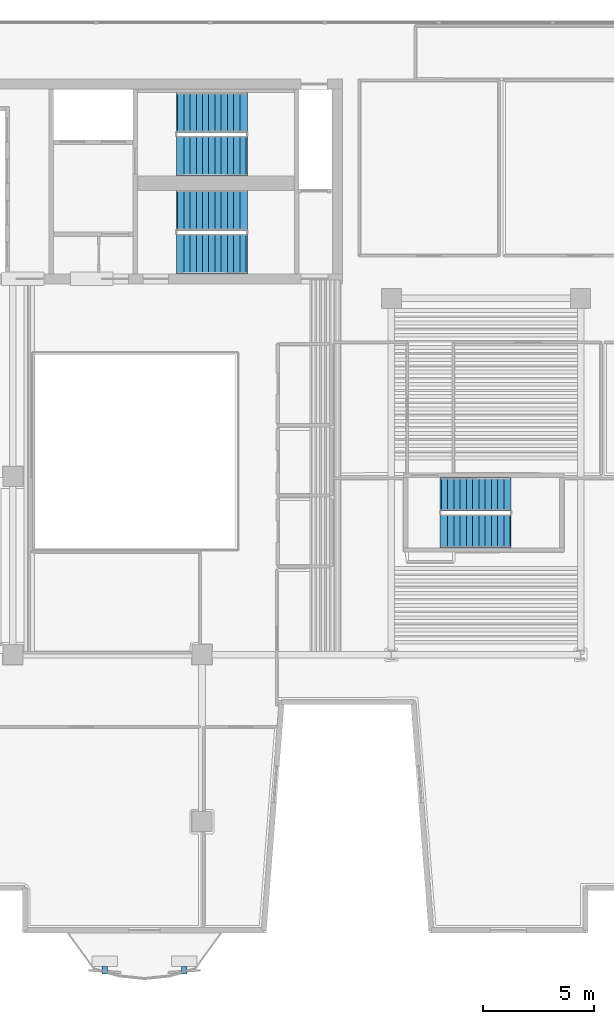
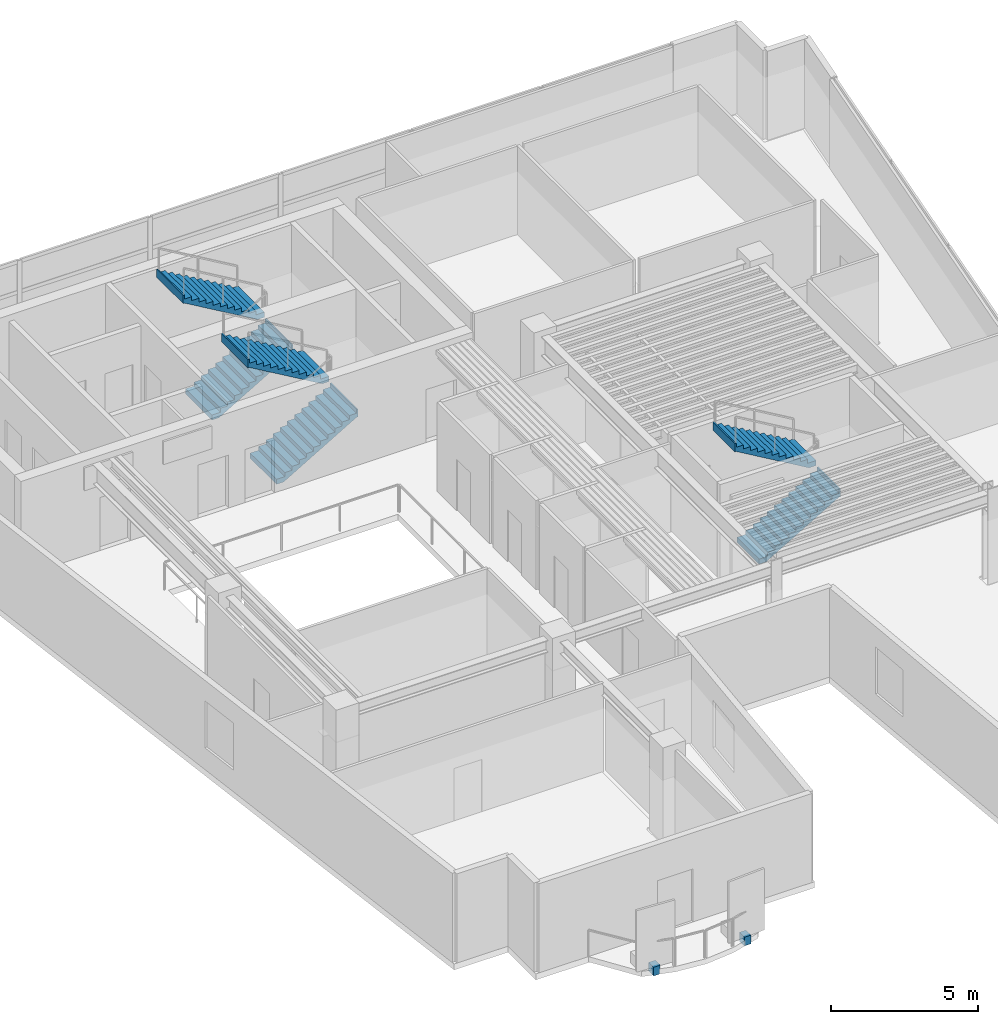
# One storey, part 6 of 8: 6 stair flights, 2 discrete accessories, 3 elements without a shape of their own.
"""IFC4 building model written with IfcOpenShell, lengths in metres."""

from ifc_helpers import new_model, si_unit, direction, frame, origin, origin_2d, place, context, subcontext, project, spatial, polyline, rectangle, outline, extrude, material, type_object, element, aggregate, save


model = new_model("IFC4")

# Units and contexts
model_context = context("Model", 3, precision=1e-05, world=origin(), true_north=direction((0.0, 1.0)))
body_context = subcontext(model_context, "Body", "Model", "MODEL_VIEW")
ifc_project = project(units=[si_unit("LENGTHUNIT", "METRE"), si_unit("AREAUNIT", "SQUARE_METRE"), si_unit("VOLUMEUNIT", "CUBIC_METRE"), si_unit("PLANEANGLEUNIT", "RADIAN"), si_unit("MASSUNIT", "GRAM", prefix="KILO")], contexts=[model_context])

# Site, building, storey
site_placement = place(None, origin())
site = spatial("IfcSite", under=ifc_project, at=site_placement, CompositionType="ELEMENT")
building_placement = place(site_placement, origin())
building = spatial("IfcBuilding", under=site, at=building_placement, Name="Caeloran Harvest Quay", CompositionType="ELEMENT")
storey_placement = place(building_placement, frame((0.0, 0.0, 239.050048828125)))
storey = spatial("IfcBuildingStorey", under=building, at=storey_placement, Name="L57", CompositionType="ELEMENT", Elevation=239.050048828125)

# Stair, stair flights
ifc_material_1 = material(Name="Concrete C50/60", Category="concrete")
stair_type_1 = type_object("IfcStairType", Name="STAIR-STC-180", PredefinedType="HALF_TURN_STAIR", material=ifc_material_1)
stair_1_placement = place(storey_placement, origin())
stair_1 = element("IfcStair", 1, at=stair_1_placement, inside=storey, type_object=stair_type_1, Name="L57 Core Pressurized Exit Stair ST-C1", PredefinedType="HALF_TURN_STAIR")
stair_flight_type_1 = type_object("IfcStairFlightType", Name="FLIGHT-STC-180", PredefinedType="STRAIGHT", material=ifc_material_1)
stair_flight_1_placement = place(storey_placement, frame((15.89990234375, 37.39990234375, 0.0), z_axis=(0.0, 0.0, 1.0), x_axis=(1.0, 0.0, 0.0)))
stair_flight_1 = element("IfcStairFlight", 2, at=stair_flight_1_placement, type_object=stair_flight_type_1, Name="ST-C1 flight 1", NumberOfRisers=12, NumberOfTreads=11, PredefinedType="STRAIGHT", RiserHeight=0.164583333, TreadLength=0.28, context=body_context, shape_type="SweptSolid", body=[
    extrude(outline(polyline([(-0.054931640625, -0.044921875), (-0.054931640625, -0.031982421875), (-0.054931640625, -0.018798828125), (-0.054931640625, -0.005615234375), (-0.054931640625, 0.00732421875), (-0.054931640625, 0.0205078125), (-0.054931640625, 0.03369140625), (-0.054931640625, 0.046630859375), (-0.054931640625, 0.059814453125), (-0.054931640625, 0.072998046875), (-0.054931640625, 0.0859375), (-0.054931640625, 0.09912109375), (-0.054931640625, 0.1123046875), (-0.054931640625, 0.125244140625), (-0.054931640625, 0.138427734375), (-0.054931640625, 0.1513671875), (-0.054931640625, 0.16455078125), (0.280029296875, 0.16455078125), (0.280029296875, 0.3291015625), (0.56005859375, 0.3291015625), (0.56005859375, 0.49365234375), (0.840087890625, 0.49365234375), (0.840087890625, 0.658447265625), (1.1201171875, 0.658447265625), (1.1201171875, 0.822998046875), (1.39990234375, 0.822998046875), (1.39990234375, 0.987548828125), (1.679931640625, 0.987548828125), (1.679931640625, 1.152099609375), (1.9599609375, 1.152099609375), (1.9599609375, 1.316650390625), (2.239990234375, 1.316650390625), (2.239990234375, 1.481201171875), (2.52001953125, 1.481201171875), (2.52001953125, 1.645751953125), (2.800048828125, 1.645751953125), (2.800048828125, 1.810302734375), (3.080078125, 1.810302734375), (3.080078125, 1.97509765625), (3.135009765625, 1.97509765625), (3.135009765625, 1.953857421875), (3.135009765625, 1.9326171875), (3.135009765625, 1.91162109375), (3.135009765625, 1.890380859375), (3.135009765625, 1.869140625), (3.135009765625, 1.84814453125), (3.135009765625, 1.826904296875), (3.135009765625, 1.8056640625), (3.135009765625, 1.78466796875), (3.135009765625, 1.763427734375), (3.135009765625, 1.7421875), (3.135009765625, 1.72119140625), (3.135009765625, 1.699951171875), (3.135009765625, 1.678955078125), (3.135009765625, 1.65771484375), (3.135009765625, 1.636474609375), (3.080078125, 1.636474609375), (0.21923828125, -0.044921875), (-0.054931640625, -0.044921875)])), frame((0.0, 0.89990234375, 0.0), z_axis=(0.0, -1.0, 0.0), x_axis=(1.0, 0.0, 0.0)), (0.0, 0.0, 1.0), 1.800048828125),
])
stair_flight_2_placement = place(storey_placement, frame((18.97998046875, 39.35009765625, 1.974853515625), z_axis=(0.0, 0.0, 1.0), x_axis=(-1.0, 0.0, 0.0)))
stair_flight_2 = element("IfcStairFlight", 3, at=stair_flight_2_placement, type_object=stair_flight_type_1, Name="ST-C1 flight 2", NumberOfRisers=12, NumberOfTreads=11, PredefinedType="STRAIGHT", RiserHeight=0.164583333, TreadLength=0.28, context=body_context, shape_type="SweptSolid", body=[
    extrude(outline(polyline([(-0.054931640625, -0.044921875), (-0.054931640625, -0.031982421875), (-0.054931640625, -0.018798828125), (-0.054931640625, -0.005615234375), (-0.054931640625, 0.00732421875), (-0.054931640625, 0.0205078125), (-0.054931640625, 0.03369140625), (-0.054931640625, 0.046630859375), (-0.054931640625, 0.059814453125), (-0.054931640625, 0.072998046875), (-0.054931640625, 0.0859375), (-0.054931640625, 0.09912109375), (-0.054931640625, 0.1123046875), (-0.054931640625, 0.125244140625), (-0.054931640625, 0.138427734375), (-0.054931640625, 0.1513671875), (-0.054931640625, 0.16455078125), (0.280029296875, 0.16455078125), (0.280029296875, 0.3291015625), (0.56005859375, 0.3291015625), (0.56005859375, 0.49365234375), (0.840087890625, 0.49365234375), (0.840087890625, 0.658447265625), (1.1201171875, 0.658447265625), (1.1201171875, 0.822998046875), (1.39990234375, 0.822998046875), (1.39990234375, 0.987548828125), (1.679931640625, 0.987548828125), (1.679931640625, 1.152099609375), (1.9599609375, 1.152099609375), (1.9599609375, 1.316650390625), (2.239990234375, 1.316650390625), (2.239990234375, 1.481201171875), (2.52001953125, 1.481201171875), (2.52001953125, 1.645751953125), (2.800048828125, 1.645751953125), (2.800048828125, 1.810302734375), (3.080078125, 1.810302734375), (3.080078125, 1.97509765625), (3.135009765625, 1.97509765625), (3.135009765625, 1.953857421875), (3.135009765625, 1.9326171875), (3.135009765625, 1.91162109375), (3.135009765625, 1.890380859375), (3.135009765625, 1.869140625), (3.135009765625, 1.84814453125), (3.135009765625, 1.826904296875), (3.135009765625, 1.8056640625), (3.135009765625, 1.78466796875), (3.135009765625, 1.763427734375), (3.135009765625, 1.7421875), (3.135009765625, 1.72119140625), (3.135009765625, 1.699951171875), (3.135009765625, 1.678955078125), (3.135009765625, 1.65771484375), (3.135009765625, 1.636474609375), (3.080078125, 1.636474609375), (0.21923828125, -0.044921875), (-0.054931640625, -0.044921875)])), frame((0.0, 0.89990234375, 0.0), z_axis=(0.0, -1.0, 0.0), x_axis=(1.0, 0.0, 0.0)), (0.0, 0.0, 1.0), 1.800048828125),
])
aggregate(stair_1, [stair_flight_1, stair_flight_2])

stair_2_placement = place(storey_placement, origin())
stair_2 = element("IfcStair", 4, at=stair_2_placement, inside=storey, type_object=stair_type_1, Name="L57 Core Pressurized Exit Stair ST-C2", PredefinedType="HALF_TURN_STAIR")
stair_flight_3_placement = place(storey_placement, frame((15.89990234375, 33.0, 0.0), z_axis=(0.0, 0.0, 1.0), x_axis=(1.0, 0.0, 0.0)))
stair_flight_3 = element("IfcStairFlight", 5, at=stair_flight_3_placement, type_object=stair_flight_type_1, Name="ST-C2 flight 1", NumberOfRisers=12, NumberOfTreads=11, PredefinedType="STRAIGHT", RiserHeight=0.164583333, TreadLength=0.28, context=body_context, shape_type="SweptSolid", body=[
    extrude(outline(polyline([(-0.054931640625, -0.044921875), (-0.054931640625, -0.031982421875), (-0.054931640625, -0.018798828125), (-0.054931640625, -0.005615234375), (-0.054931640625, 0.00732421875), (-0.054931640625, 0.0205078125), (-0.054931640625, 0.03369140625), (-0.054931640625, 0.046630859375), (-0.054931640625, 0.059814453125), (-0.054931640625, 0.072998046875), (-0.054931640625, 0.0859375), (-0.054931640625, 0.09912109375), (-0.054931640625, 0.1123046875), (-0.054931640625, 0.125244140625), (-0.054931640625, 0.138427734375), (-0.054931640625, 0.1513671875), (-0.054931640625, 0.16455078125), (0.280029296875, 0.16455078125), (0.280029296875, 0.3291015625), (0.56005859375, 0.3291015625), (0.56005859375, 0.49365234375), (0.840087890625, 0.49365234375), (0.840087890625, 0.658447265625), (1.1201171875, 0.658447265625), (1.1201171875, 0.822998046875), (1.39990234375, 0.822998046875), (1.39990234375, 0.987548828125), (1.679931640625, 0.987548828125), (1.679931640625, 1.152099609375), (1.9599609375, 1.152099609375), (1.9599609375, 1.316650390625), (2.239990234375, 1.316650390625), (2.239990234375, 1.481201171875), (2.52001953125, 1.481201171875), (2.52001953125, 1.645751953125), (2.800048828125, 1.645751953125), (2.800048828125, 1.810302734375), (3.080078125, 1.810302734375), (3.080078125, 1.97509765625), (3.135009765625, 1.97509765625), (3.135009765625, 1.953857421875), (3.135009765625, 1.9326171875), (3.135009765625, 1.91162109375), (3.135009765625, 1.890380859375), (3.135009765625, 1.869140625), (3.135009765625, 1.84814453125), (3.135009765625, 1.826904296875), (3.135009765625, 1.8056640625), (3.135009765625, 1.78466796875), (3.135009765625, 1.763427734375), (3.135009765625, 1.7421875), (3.135009765625, 1.72119140625), (3.135009765625, 1.699951171875), (3.135009765625, 1.678955078125), (3.135009765625, 1.65771484375), (3.135009765625, 1.636474609375), (3.080078125, 1.636474609375), (0.21923828125, -0.044921875), (-0.054931640625, -0.044921875)])), frame((0.0, 0.89990234375, 0.0), z_axis=(0.0, -1.0, 0.0), x_axis=(1.0, 0.0, 0.0)), (0.0, 0.0, 1.0), 1.800048828125),
])
stair_flight_4_placement = place(storey_placement, frame((18.97998046875, 34.949951171875, 1.974853515625), z_axis=(0.0, 0.0, 1.0), x_axis=(-1.0, 0.0, 0.0)))
stair_flight_4 = element("IfcStairFlight", 6, at=stair_flight_4_placement, type_object=stair_flight_type_1, Name="ST-C2 flight 2", NumberOfRisers=12, NumberOfTreads=11, PredefinedType="STRAIGHT", RiserHeight=0.164583333, TreadLength=0.28, context=body_context, shape_type="SweptSolid", body=[
    extrude(outline(polyline([(-0.054931640625, -0.044921875), (-0.054931640625, -0.031982421875), (-0.054931640625, -0.018798828125), (-0.054931640625, -0.005615234375), (-0.054931640625, 0.00732421875), (-0.054931640625, 0.0205078125), (-0.054931640625, 0.03369140625), (-0.054931640625, 0.046630859375), (-0.054931640625, 0.059814453125), (-0.054931640625, 0.072998046875), (-0.054931640625, 0.0859375), (-0.054931640625, 0.09912109375), (-0.054931640625, 0.1123046875), (-0.054931640625, 0.125244140625), (-0.054931640625, 0.138427734375), (-0.054931640625, 0.1513671875), (-0.054931640625, 0.16455078125), (0.280029296875, 0.16455078125), (0.280029296875, 0.3291015625), (0.56005859375, 0.3291015625), (0.56005859375, 0.49365234375), (0.840087890625, 0.49365234375), (0.840087890625, 0.658447265625), (1.1201171875, 0.658447265625), (1.1201171875, 0.822998046875), (1.39990234375, 0.822998046875), (1.39990234375, 0.987548828125), (1.679931640625, 0.987548828125), (1.679931640625, 1.152099609375), (1.9599609375, 1.152099609375), (1.9599609375, 1.316650390625), (2.239990234375, 1.316650390625), (2.239990234375, 1.481201171875), (2.52001953125, 1.481201171875), (2.52001953125, 1.645751953125), (2.800048828125, 1.645751953125), (2.800048828125, 1.810302734375), (3.080078125, 1.810302734375), (3.080078125, 1.97509765625), (3.135009765625, 1.97509765625), (3.135009765625, 1.953857421875), (3.135009765625, 1.9326171875), (3.135009765625, 1.91162109375), (3.135009765625, 1.890380859375), (3.135009765625, 1.869140625), (3.135009765625, 1.84814453125), (3.135009765625, 1.826904296875), (3.135009765625, 1.8056640625), (3.135009765625, 1.78466796875), (3.135009765625, 1.763427734375), (3.135009765625, 1.7421875), (3.135009765625, 1.72119140625), (3.135009765625, 1.699951171875), (3.135009765625, 1.678955078125), (3.135009765625, 1.65771484375), (3.135009765625, 1.636474609375), (3.080078125, 1.636474609375), (0.21923828125, -0.044921875), (-0.054931640625, -0.044921875)])), frame((0.0, 0.89990234375, 0.0), z_axis=(0.0, -1.0, 0.0), x_axis=(1.0, 0.0, 0.0)), (0.0, 0.0, 1.0), 1.800048828125),
])
aggregate(stair_2, [stair_flight_3, stair_flight_4])

stair_type_2 = type_object("IfcStairType", Name="STAIR-STW-150", PredefinedType="HALF_TURN_STAIR", material=ifc_material_1)
stair_3_placement = place(storey_placement, origin())
stair_3 = element("IfcStair", 7, at=stair_3_placement, inside=storey, type_object=stair_type_2, Name="L57 East Wing Protected Exit Stair ST-W1", PredefinedType="HALF_TURN_STAIR")
stair_flight_type_2 = type_object("IfcStairFlightType", Name="FLIGHT-STW-150", PredefinedType="STRAIGHT", material=ifc_material_1)
stair_flight_5_placement = place(storey_placement, frame((27.75, 20.550048828125, 0.0), z_axis=(0.0, 0.0, 1.0), x_axis=(1.0, 0.0, 0.0)))
stair_flight_5 = element("IfcStairFlight", 8, at=stair_flight_5_placement, type_object=stair_flight_type_2, Name="ST-W1 flight 1", NumberOfRisers=12, NumberOfTreads=11, PredefinedType="STRAIGHT", RiserHeight=0.164583333, TreadLength=0.28, context=body_context, shape_type="SweptSolid", body=[
    extrude(outline(polyline([(-0.054931640625, -0.044921875), (-0.054931640625, -0.031982421875), (-0.054931640625, -0.018798828125), (-0.054931640625, -0.005615234375), (-0.054931640625, 0.00732421875), (-0.054931640625, 0.0205078125), (-0.054931640625, 0.03369140625), (-0.054931640625, 0.046630859375), (-0.054931640625, 0.059814453125), (-0.054931640625, 0.072998046875), (-0.054931640625, 0.0859375), (-0.054931640625, 0.09912109375), (-0.054931640625, 0.1123046875), (-0.054931640625, 0.125244140625), (-0.054931640625, 0.138427734375), (-0.054931640625, 0.1513671875), (-0.054931640625, 0.16455078125), (0.280029296875, 0.16455078125), (0.280029296875, 0.3291015625), (0.56005859375, 0.3291015625), (0.56005859375, 0.49365234375), (0.840087890625, 0.49365234375), (0.840087890625, 0.658447265625), (1.1201171875, 0.658447265625), (1.1201171875, 0.822998046875), (1.39990234375, 0.822998046875), (1.39990234375, 0.987548828125), (1.679931640625, 0.987548828125), (1.679931640625, 1.152099609375), (1.9599609375, 1.152099609375), (1.9599609375, 1.316650390625), (2.239990234375, 1.316650390625), (2.239990234375, 1.481201171875), (2.52001953125, 1.481201171875), (2.52001953125, 1.645751953125), (2.800048828125, 1.645751953125), (2.800048828125, 1.810302734375), (3.080078125, 1.810302734375), (3.080078125, 1.97509765625), (3.135009765625, 1.97509765625), (3.135009765625, 1.953857421875), (3.135009765625, 1.9326171875), (3.135009765625, 1.91162109375), (3.135009765625, 1.890380859375), (3.135009765625, 1.869140625), (3.135009765625, 1.84814453125), (3.135009765625, 1.826904296875), (3.135009765625, 1.8056640625), (3.135009765625, 1.78466796875), (3.135009765625, 1.763427734375), (3.135009765625, 1.7421875), (3.135009765625, 1.72119140625), (3.135009765625, 1.699951171875), (3.135009765625, 1.678955078125), (3.135009765625, 1.65771484375), (3.135009765625, 1.636474609375), (3.080078125, 1.636474609375), (0.21923828125, -0.044921875), (-0.054931640625, -0.044921875)])), frame((0.0, 0.75, 0.0), z_axis=(0.0, -1.0, 0.0), x_axis=(1.0, 0.0, 0.0)), (0.0, 0.0, 1.0), 1.5),
])
stair_flight_6_placement = place(storey_placement, frame((30.830078125, 22.199951171875, 1.974853515625), z_axis=(0.0, 0.0, 1.0), x_axis=(-1.0, 0.0, 0.0)))
stair_flight_6 = element("IfcStairFlight", 9, at=stair_flight_6_placement, type_object=stair_flight_type_2, Name="ST-W1 flight 2", NumberOfRisers=12, NumberOfTreads=11, PredefinedType="STRAIGHT", RiserHeight=0.164583333, TreadLength=0.28, context=body_context, shape_type="SweptSolid", body=[
    extrude(outline(polyline([(-0.054931640625, -0.044921875), (-0.054931640625, -0.031982421875), (-0.054931640625, -0.018798828125), (-0.054931640625, -0.005615234375), (-0.054931640625, 0.00732421875), (-0.054931640625, 0.0205078125), (-0.054931640625, 0.03369140625), (-0.054931640625, 0.046630859375), (-0.054931640625, 0.059814453125), (-0.054931640625, 0.072998046875), (-0.054931640625, 0.0859375), (-0.054931640625, 0.09912109375), (-0.054931640625, 0.1123046875), (-0.054931640625, 0.125244140625), (-0.054931640625, 0.138427734375), (-0.054931640625, 0.1513671875), (-0.054931640625, 0.16455078125), (0.280029296875, 0.16455078125), (0.280029296875, 0.3291015625), (0.56005859375, 0.3291015625), (0.56005859375, 0.49365234375), (0.840087890625, 0.49365234375), (0.840087890625, 0.658447265625), (1.1201171875, 0.658447265625), (1.1201171875, 0.822998046875), (1.39990234375, 0.822998046875), (1.39990234375, 0.987548828125), (1.679931640625, 0.987548828125), (1.679931640625, 1.152099609375), (1.9599609375, 1.152099609375), (1.9599609375, 1.316650390625), (2.239990234375, 1.316650390625), (2.239990234375, 1.481201171875), (2.52001953125, 1.481201171875), (2.52001953125, 1.645751953125), (2.800048828125, 1.645751953125), (2.800048828125, 1.810302734375), (3.080078125, 1.810302734375), (3.080078125, 1.97509765625), (3.135009765625, 1.97509765625), (3.135009765625, 1.953857421875), (3.135009765625, 1.9326171875), (3.135009765625, 1.91162109375), (3.135009765625, 1.890380859375), (3.135009765625, 1.869140625), (3.135009765625, 1.84814453125), (3.135009765625, 1.826904296875), (3.135009765625, 1.8056640625), (3.135009765625, 1.78466796875), (3.135009765625, 1.763427734375), (3.135009765625, 1.7421875), (3.135009765625, 1.72119140625), (3.135009765625, 1.699951171875), (3.135009765625, 1.678955078125), (3.135009765625, 1.65771484375), (3.135009765625, 1.636474609375), (3.080078125, 1.636474609375), (0.21923828125, -0.044921875), (-0.054931640625, -0.044921875)])), frame((0.0, 0.75, 0.0), z_axis=(0.0, -1.0, 0.0), x_axis=(1.0, 0.0, 0.0)), (0.0, 0.0, 1.0), 1.5),
])
aggregate(stair_3, [stair_flight_5, stair_flight_6])

# Discrete accessories
ifc_material_2 = material(Name="Stainless Steel Grade 316L", Category="steel")
discrete_accessory_type = type_object("IfcDiscreteAccessoryType", Name="BRACKET-SCREEN-SS", PredefinedType="BRACKET", material=ifc_material_2)
for number, where, z_axis, x_axis, name in (
    (10, (16.19775390625, 0.835205078125, -0.22021484375), (0.0, 0.0, 1.0), (1.0, 0.0, 0.0), "L57 Balcony Screen Support Bracket 1"),
    (11, (12.631103515625, 0.835205078125, -0.22021484375), (0.0, 0.0, 1.0), (1.0, 0.0, 0.0), "L57 Balcony Screen Support Bracket 2"),
):
    element("IfcDiscreteAccessory", number, at=place(storey_placement, frame(where, z_axis=z_axis, x_axis=x_axis)), inside=storey, type_object=discrete_accessory_type, Name=name, PredefinedType="BRACKET", context=body_context, shape_type="SweptSolid", body=[
        extrude(rectangle(XDim=0.260009765625, YDim=0.340087890625, at=origin_2d()), origin(), (0.0, 0.0, 1.0), 0.360107421875),
    ])

save(model, "model.ifc")
